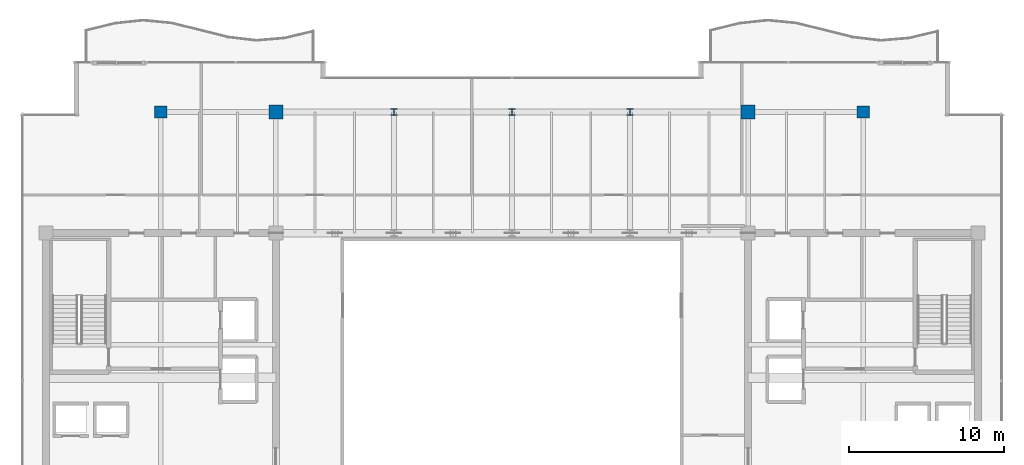
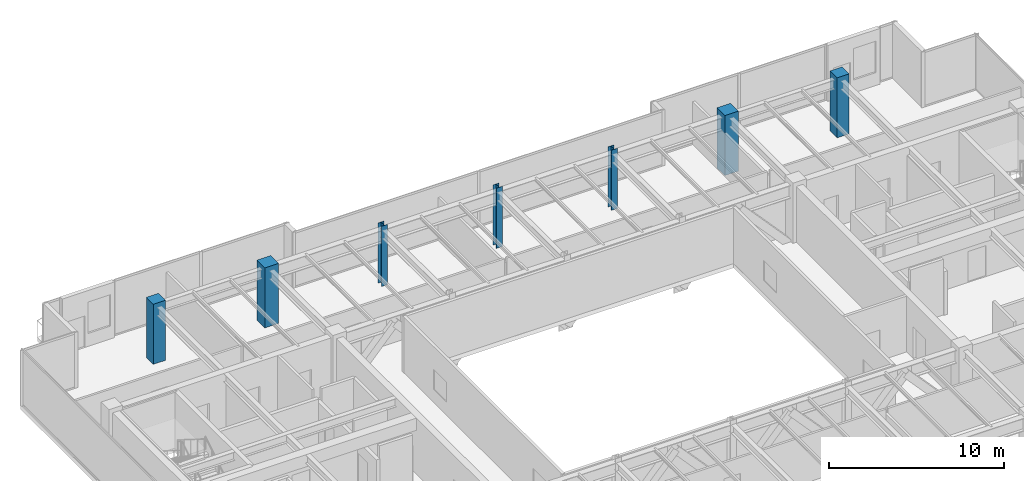
# One storey, part 3 of 31: 7 columns.
"""IFC4 building model written with IfcOpenShell, lengths in metres."""

from ifc_helpers import new_model, si_unit, direction, frame, origin, origin_2d, place, context, subcontext, project, spatial, rectangle, i_section, extrude, source, transform, mapped, material, material_profile, profile_set, type_object, type_shapes, element, save


model = new_model("IFC4")

# Units and contexts
model_context = context("Model", 3, precision=1e-05, world=origin(), true_north=direction((0.0, 1.0)))
body_context = subcontext(model_context, "Body", "Model", "MODEL_VIEW")
ifc_project = project(units=[si_unit("LENGTHUNIT", "METRE"), si_unit("AREAUNIT", "SQUARE_METRE"), si_unit("VOLUMEUNIT", "CUBIC_METRE"), si_unit("PLANEANGLEUNIT", "RADIAN"), si_unit("MASSUNIT", "GRAM", prefix="KILO")], contexts=[model_context])

# Site, building, storey
site_placement = place(None, origin())
site = spatial("IfcSite", under=ifc_project, at=site_placement, CompositionType="ELEMENT")
building_placement = place(site_placement, origin())
building = spatial("IfcBuilding", under=site, at=building_placement, Name="Haelvirn Gate Laboratories", CompositionType="ELEMENT")
storey_placement = place(building_placement, frame((0.0, 0.0, 310.199951171875)))
storey = spatial("IfcBuildingStorey", under=building, at=storey_placement, Name="L74", CompositionType="ELEMENT", Elevation=310.199951171875)

# Columns
ifc_material_1 = material(Name="Concrete C50/60", Category="concrete")
ifc_material_profile_1 = material_profile(ifc_material_1, rectangle(XDim=0.800048828125, YDim=0.800048828125, at=origin_2d()), Name="RC-800x800")
ifc_profile_set_1 = profile_set([ifc_material_profile_1], Name="Concrete C50/60")
column_type_1 = type_object("IfcColumnType", Name="COL-RC-800", PredefinedType="COLUMN", material=ifc_profile_set_1)
shared_shape_1 = source(origin(), body_context, "Body", "SweptSolid", [
    extrude(rectangle(XDim=0.800048828125, YDim=0.800048828125, at=origin_2d()), origin(), (0.0, 0.0, 1.0), 4.199951171875),
])
type_shapes(column_type_1, [shared_shape_1])
for number, where, z_axis, x_axis, name in (
    (1, (14.800048828125, 41.60009765625, 0.0), (0.0, 0.0, 1.0), (1.0, 0.0, 0.0), "L74 Column 3G"),
    (2, (60.0, 41.60009765625, 0.0), (0.0, 0.0, 1.0), (1.0, 0.0, 0.0), "L74 Column 9G"),
):
    element("IfcColumn", number, at=place(storey_placement, frame(where, z_axis=z_axis, x_axis=x_axis)), inside=storey, type_object=column_type_1, Name=name, PredefinedType="COLUMN", context=body_context, shape_type="MappedRepresentation", body=[
        mapped(shared_shape_1, transform((0.0, 0.0, 0.0), scale=1.0)),
    ])
ifc_material_profile_2 = material_profile(ifc_material_1, rectangle(XDim=0.89990234375, YDim=0.89990234375, at=origin_2d()), Name="RC-900x900")
ifc_profile_set_2 = profile_set([ifc_material_profile_2], Name="Concrete C50/60")
column_type_2 = type_object("IfcColumnType", Name="COL-RC-900", PredefinedType="COLUMN", material=ifc_profile_set_2)
shared_shape_2 = source(origin(), body_context, "Body", "SweptSolid", [
    extrude(rectangle(XDim=0.89990234375, YDim=0.89990234375, at=origin_2d()), origin(), (0.0, 0.0, 1.0), 4.199951171875),
])
type_shapes(column_type_2, [shared_shape_2])
for number, where, z_axis, x_axis, name in (
    (3, (22.199951171875, 41.60009765625, 0.0), (0.0, 0.0, 1.0), (1.0, 0.0, 0.0), "L74 Column 4G"),
    (4, (52.60009765625, 41.60009765625, 0.0), (0.0, 0.0, 1.0), (1.0, 0.0, 0.0), "L74 Column 8G"),
):
    element("IfcColumn", number, at=place(storey_placement, frame(where, z_axis=z_axis, x_axis=x_axis)), inside=storey, type_object=column_type_2, Name=name, PredefinedType="COLUMN", context=body_context, shape_type="MappedRepresentation", body=[
        mapped(shared_shape_2, transform((0.0, 0.0, 0.0), scale=1.0)),
    ])
ifc_material_2 = material(Name="Steel SM355", Category="steel")
ifc_material_profile_3 = material_profile(ifc_material_2, i_section(OverallWidth=0.39990234375, OverallDepth=0.39990234375, WebThickness=0.02099609375, FlangeThickness=0.02099609375, at=origin_2d()), Name="H-400x400x21x21")
ifc_profile_set_3 = profile_set([ifc_material_profile_3], Name="Steel SM355")
column_type_3 = type_object("IfcColumnType", Name="COL-H-400", PredefinedType="COLUMN", material=ifc_profile_set_3)
shared_shape_3 = source(origin(), body_context, "Body", "SweptSolid", [
    extrude(i_section(OverallWidth=0.39990234375, OverallDepth=0.39990234375, WebThickness=0.02099609375, FlangeThickness=0.02099609375, at=origin_2d()), origin(), (0.0, 0.0, 1.0), 4.199951171875),
])
type_shapes(column_type_3, [shared_shape_3])
for number, where, z_axis, x_axis, name in (
    (5, (29.800048828125, 41.60009765625, 0.0), (0.0, 0.0, 1.0), (1.0, 0.0, 0.0), "L74 Column 5G"),
    (6, (37.39990234375, 41.60009765625, 0.0), (0.0, 0.0, 1.0), (1.0, 0.0, 0.0), "L74 Column 6G"),
    (7, (45.0, 41.60009765625, 0.0), (0.0, 0.0, 1.0), (1.0, 0.0, 0.0), "L74 Column 7G"),
):
    element("IfcColumn", number, at=place(storey_placement, frame(where, z_axis=z_axis, x_axis=x_axis)), inside=storey, type_object=column_type_3, Name=name, PredefinedType="COLUMN", context=body_context, shape_type="MappedRepresentation", body=[
        mapped(shared_shape_3, transform((0.0, 0.0, 0.0), scale=1.0)),
    ])

save(model, "model.ifc")
